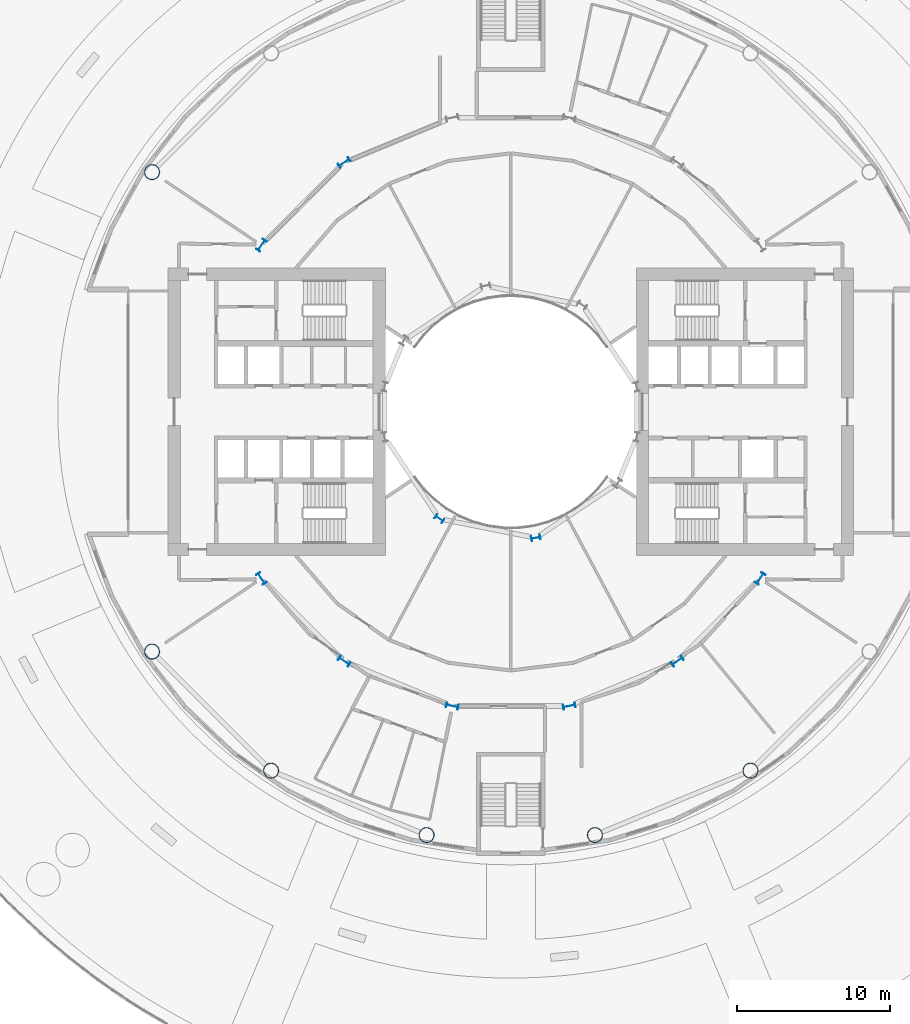
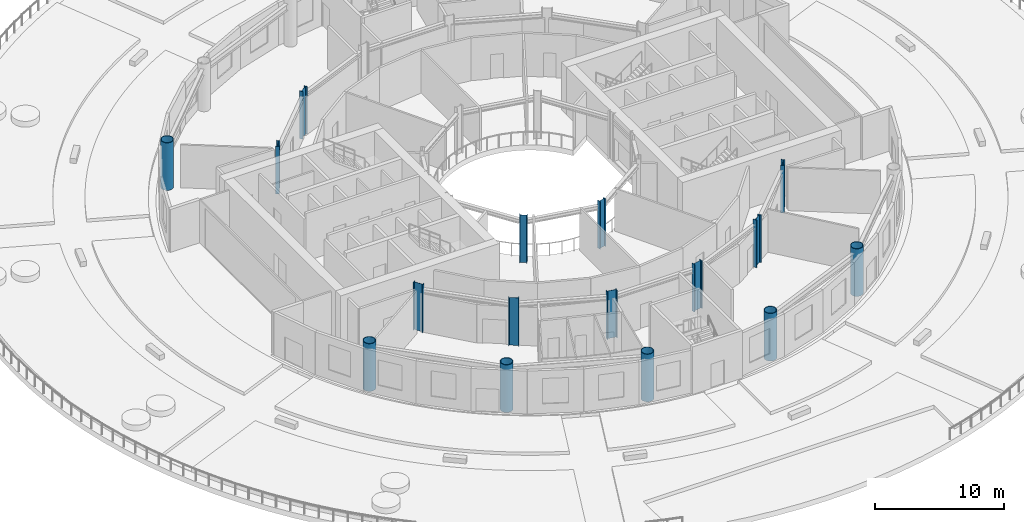
# One storey, part 1 of 19: 16 columns.
"""IFC4 building model written with IfcOpenShell, lengths in metres."""

from ifc_helpers import new_model, si_unit, direction, frame, origin, origin_2d, place, context, subcontext, project, spatial, hollow_circle, i_section, extrude, material, material_profile, profile_set, type_object, element, save


model = new_model("IFC4")

# Units and contexts
model_context = context("Model", 3, precision=1e-05, world=origin(), true_north=direction((0.0, 1.0)))
body_context = subcontext(model_context, "Body", "Model", "MODEL_VIEW")
ifc_project = project(units=[si_unit("LENGTHUNIT", "METRE"), si_unit("AREAUNIT", "SQUARE_METRE"), si_unit("VOLUMEUNIT", "CUBIC_METRE"), si_unit("PLANEANGLEUNIT", "RADIAN"), si_unit("MASSUNIT", "GRAM", prefix="KILO")], contexts=[model_context])

# Site, building, storey
site_placement = place(None, origin())
site = spatial("IfcSite", under=ifc_project, at=site_placement, CompositionType="ELEMENT")
building_placement = place(site_placement, origin())
building = spatial("IfcBuilding", under=site, at=building_placement, Name="Maasbend Ring Residences", CompositionType="ELEMENT")
storey_placement = place(building_placement, frame((0.0, 0.0, 9.60009765625)))
storey = spatial("IfcBuildingStorey", under=building, at=storey_placement, Name="L02", CompositionType="ELEMENT", Elevation=9.60009765625)

# Columns
ifc_material_1 = material(Name="Composite concrete-filled steel tube S460NH / C80/95", Category="concrete")
ifc_material_profile_1 = material_profile(ifc_material_1, hollow_circle(Radius=0.508056640625, WallThickness=0.050048828125, at=origin_2d()), Name="Composite tube column CHS 1016x50")
ifc_profile_set_1 = profile_set([ifc_material_profile_1], Name="Composite concrete-filled steel tube S460NH / C80/95")
column_type_1 = type_object("IfcColumnType", Name="Composite tube column CHS 1016x50", PredefinedType="COLUMN", material=ifc_profile_set_1)
for number, where, z_axis, x_axis, name in (
    (1, (-23.447509765625, 15.6669921875, 0.0), (0.0, 0.0, 1.0), (1.0, 0.0, 0.0), "Outer column R7"),
    (2, (-23.447509765625, -15.6669921875, 0.0), (0.0, 0.0, 1.0), (1.0, 0.0, 0.0), "Outer column R10"),
    (3, (-15.6669921875, -23.447509765625, 0.0), (0.0, 0.0, 1.0), (1.0, 0.0, 0.0), "Outer column R11"),
    (4, (-5.50146484375, -27.658203125, 0.0), (0.0, 0.0, 1.0), (1.0, 0.0, 0.0), "Outer column R12"),
    (5, (5.50146484375, -27.658203125, 0.0), (0.0, 0.0, 1.0), (1.0, 0.0, 0.0), "Outer column R13"),
    (6, (15.6669921875, -23.447509765625, 0.0), (0.0, 0.0, 1.0), (1.0, 0.0, 0.0), "Outer column R14"),
):
    element("IfcColumn", number, at=place(storey_placement, frame(where, z_axis=z_axis, x_axis=x_axis)), inside=storey, type_object=column_type_1, Name=name, PredefinedType="COLUMN", context=body_context, shape_type="SweptSolid", body=[
        extrude(hollow_circle(Radius=0.508056640625, WallThickness=0.050048828125, at=origin_2d()), origin(), (0.0, 0.0, 1.0), 4.5),
    ])
ifc_material_2 = material(Name="Steel S460M", Category="steel")
ifc_material_profile_2 = material_profile(ifc_material_2, i_section(OverallWidth=0.300048828125, OverallDepth=0.60009765625, WebThickness=0.015380859375, FlangeThickness=0.030029296875, FilletRadius=0.027099609375, at=origin_2d()), Name="HEB 600")
ifc_profile_set_2 = profile_set([ifc_material_profile_2], Name="Steel S460M")
column_type_2 = type_object("IfcColumnType", Name="Steel column HEB 600", PredefinedType="COLUMN", material=ifc_profile_set_2)
for number, where, z_axis, x_axis, name in (
    (7, (-4.666748046875, -6.984375, 0.0), (0.0, 0.0, 1.0), (-0.55557023302, -0.831469612303, 0.0), "Well ring column R11"),
    (8, (1.638916015625, -8.238525390625, 0.0), (0.0, 0.0, 1.0), (0.195090322016, -0.980785280403, 0.0), "Well ring column R13"),
):
    element("IfcColumn", number, at=place(storey_placement, frame(where, z_axis=z_axis, x_axis=x_axis)), inside=storey, type_object=column_type_2, Name=name, PredefinedType="COLUMN", context=body_context, shape_type="SweptSolid", body=[
        extrude(i_section(OverallWidth=0.300048828125, OverallDepth=0.60009765625, WebThickness=0.015380859375, FlangeThickness=0.030029296875, FilletRadius=0.027099609375, at=origin_2d()), origin(), (0.0, 0.0, 1.0), 4.5),
    ])
ifc_material_3 = material(Name="Steel S460M", Category="steel")
ifc_material_profile_3 = material_profile(ifc_material_3, i_section(OverallWidth=0.302978515625, OverallDepth=0.81396484375, WebThickness=0.02099609375, FlangeThickness=0.0400390625, FilletRadius=0.030029296875, at=origin_2d()), Name="HEM 800")
ifc_profile_set_3 = profile_set([ifc_material_profile_3], Name="Steel S460M")
column_type_3 = type_object("IfcColumnType", Name="Steel column HEM 800", PredefinedType="COLUMN", material=ifc_profile_set_3)
for number, where, z_axis, x_axis, name in (
    (9, (-10.88916015625, 16.296875, 0.0), (0.0, 0.0, 1.0), (-0.55557023302, 0.831469612303, 0.0), "Corridor ring column R6"),
    (10, (-16.296875, 10.88916015625, 0.0), (0.0, 0.0, 1.0), (-0.831469612303, 0.55557023302, 0.0), "Corridor ring column R7"),
    (11, (-16.296875, -10.88916015625, 0.0), (0.0, 0.0, 1.0), (-0.831469612303, -0.55557023302, 0.0), "Corridor ring column R10"),
    (12, (-10.88916015625, -16.296875, 0.0), (0.0, 0.0, 1.0), (-0.55557023302, -0.831469612303, 0.0), "Corridor ring column R11"),
    (13, (-3.82373046875, -19.223388671875, 0.0), (0.0, 0.0, 1.0), (-0.195090322016, -0.980785280403, 0.0), "Corridor ring column R12"),
    (14, (3.82373046875, -19.223388671875, 0.0), (0.0, 0.0, 1.0), (0.195090322016, -0.980785280403, 0.0), "Corridor ring column R13"),
    (15, (10.88916015625, -16.296875, 0.0), (0.0, 0.0, 1.0), (0.55557023302, -0.831469612303, 0.0), "Corridor ring column R14"),
    (16, (16.296875, -10.88916015625, 0.0), (0.0, 0.0, 1.0), (0.831469612303, -0.55557023302, 0.0), "Corridor ring column R15"),
):
    element("IfcColumn", number, at=place(storey_placement, frame(where, z_axis=z_axis, x_axis=x_axis)), inside=storey, type_object=column_type_3, Name=name, PredefinedType="COLUMN", context=body_context, shape_type="SweptSolid", body=[
        extrude(i_section(OverallWidth=0.302978515625, OverallDepth=0.81396484375, WebThickness=0.02099609375, FlangeThickness=0.0400390625, FilletRadius=0.030029296875, at=origin_2d()), origin(), (0.0, 0.0, 1.0), 4.5),
    ])

save(model, "model.ifc")
